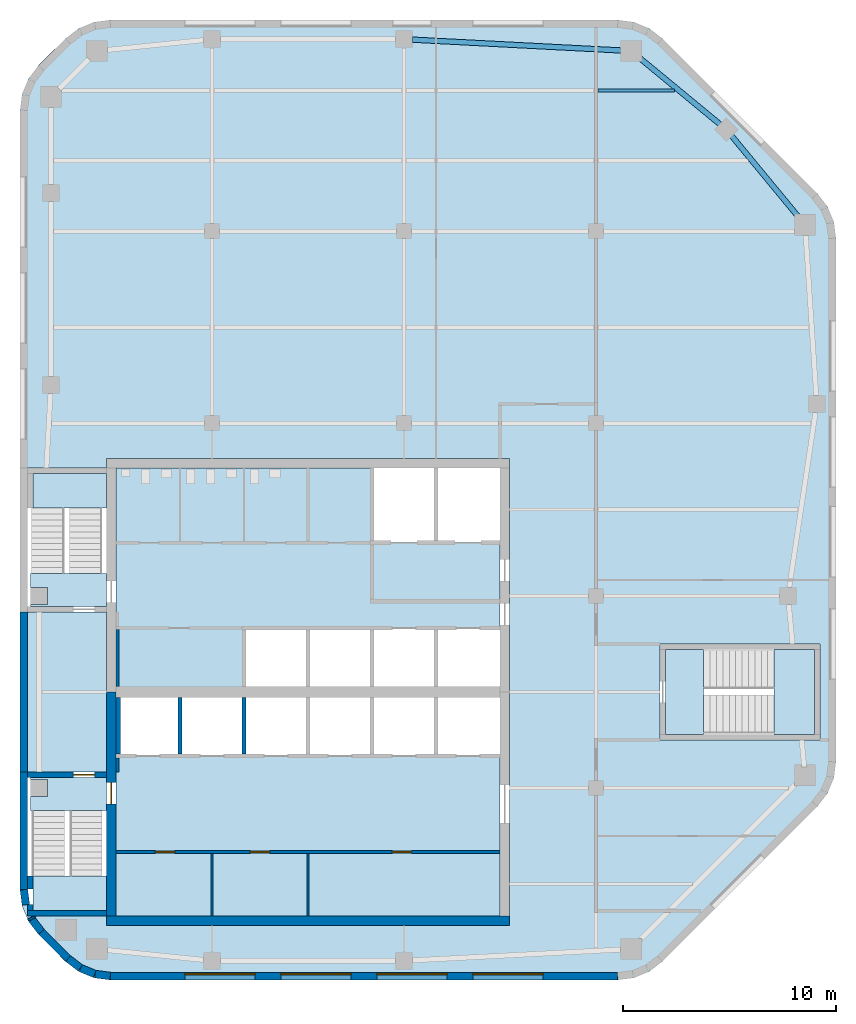
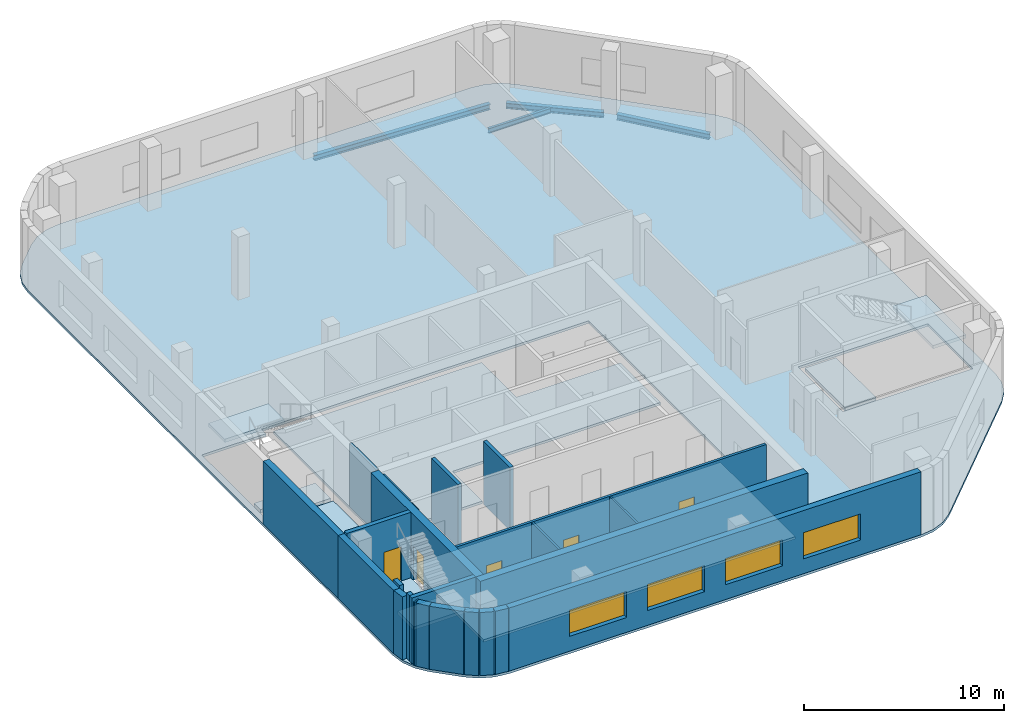
# One storey, part 2 of 7: 24 walls, 9 slabs, 5 doors, 4 beams, 4 windows, 9 openings, 3 elements without a shape of their own.
"""IFC4 building model written with IfcOpenShell, lengths in metres."""

from ifc_helpers import new_model, si_unit, direction, frame, frame_2d, origin, origin_2d, place, context, subcontext, project, spatial, polyline, rectangle, i_section, outline, extrude, material, layer, layer_set, material_profile, profile_set, type_object, element, fill, aggregate, save


model = new_model("IFC4")

# Units and contexts
model_context = context("Model", 3, precision=1e-05, world=origin(), true_north=direction((0.0, 1.0)))
body_context = subcontext(model_context, "Body", "Model", "MODEL_VIEW")
ifc_project = project(units=[si_unit("LENGTHUNIT", "METRE"), si_unit("AREAUNIT", "SQUARE_METRE"), si_unit("VOLUMEUNIT", "CUBIC_METRE"), si_unit("PLANEANGLEUNIT", "RADIAN"), si_unit("MASSUNIT", "GRAM", prefix="KILO")], contexts=[model_context])

# Site, building, storey
site_placement = place(None, origin())
site = spatial("IfcSite", under=ifc_project, at=site_placement, CompositionType="ELEMENT")
building_placement = place(site_placement, origin())
building = spatial("IfcBuilding", under=site, at=building_placement, Name="Cinnabar Reach Civic Tower", CompositionType="ELEMENT")
storey_placement = place(building_placement, frame((0.0, 0.0, 255.0)))
storey = spatial("IfcBuildingStorey", under=building, at=storey_placement, Name="L61", CompositionType="ELEMENT", Elevation=255.0)

# Beams
ifc_material_1 = material(Name="Steel Q355B", Category="steel")
ifc_material_profile_1 = material_profile(ifc_material_1, i_section(OverallWidth=0.25, OverallDepth=0.34, WebThickness=0.009, FlangeThickness=0.014, FilletRadius=0.013, at=origin_2d()), Name="HM340x250x9x14")
ifc_profile_set_1 = profile_set([ifc_material_profile_1], Name="Steel Q355B")
beam_type_1 = type_object("IfcBeamType", Name="HM340x250x9x14 beam R 180", PredefinedType="BEAM", material=ifc_profile_set_1)
for number, where, z_axis, x_axis, name in (
    (1, (36.4818, 53.7801, -0.32), (-0.636303312762, 0.771438976309, 0.0), (-0.771438976309, -0.636303312762, 0.0), "Edge beam T1 L61 9"),
    (2, (32.8486, 58.0822, -0.32), (-0.771438976309, 0.636303312762, 0.0), (-0.636303312762, -0.771438976309, 0.0), "Edge beam T1 L61 10"),
):
    element("IfcBeam", number, at=place(storey_placement, frame(where, z_axis=z_axis, x_axis=x_axis)), inside=storey, type_object=beam_type_1, Name=name, PredefinedType="BEAM", context=body_context, shape_type="SweptSolid", body=[
        extrude(i_section(OverallWidth=0.25, OverallDepth=0.34, WebThickness=0.009, FlangeThickness=0.014, FilletRadius=0.013, at=origin_2d()), origin(), (0.0, 0.0, 1.0), 4.9498),
    ])
beam_1_placement = place(storey_placement, frame((28.2661, 61.5667, -0.32), z_axis=(-0.998653533726, 0.051876001934, 0.0), x_axis=(-0.051876001934, -0.998653533726, 0.0)))
element("IfcBeam", 3, at=beam_1_placement, inside=storey, type_object=beam_type_1, Name="Edge beam T1 L61 11", PredefinedType="BEAM", context=body_context, shape_type="SweptSolid", body=[
    extrude(i_section(OverallWidth=0.25, OverallDepth=0.34, WebThickness=0.009, FlangeThickness=0.014, FilletRadius=0.013, at=origin_2d()), origin(), (0.0, 0.0, 1.0), 9.8774),
])
ifc_material_profile_2 = material_profile(ifc_material_1, i_section(OverallWidth=0.15, OverallDepth=0.3, WebThickness=0.0065, FlangeThickness=0.009, FilletRadius=0.013, at=origin_2d()), Name="HN300x150x6.5x9")
ifc_profile_set_2 = profile_set([ifc_material_profile_2], Name="Steel Q355B")
beam_type_2 = type_object("IfcBeamType", Name="HN300x150x6.5x9 beam R 180", PredefinedType="BEAM", material=ifc_profile_set_2)
beam_2_placement = place(storey_placement, frame((27.102, 59.7, -0.3), z_axis=(1.0, 0.0, 0.0), x_axis=(0.0, 1.0, 0.0)))
element("IfcBeam", 4, at=beam_2_placement, inside=storey, type_object=beam_type_2, Name="Secondary beam T1 L61 19", PredefinedType="BEAM", context=body_context, shape_type="SweptSolid", body=[
    extrude(i_section(OverallWidth=0.15, OverallDepth=0.3, WebThickness=0.0065, FlangeThickness=0.009, FilletRadius=0.013, at=origin_2d()), origin(), (0.0, 0.0, 1.0), 3.5856),
])

# Slab
ifc_material_2 = material(Name="Concrete C40", Category="concrete")
ifc_layer_1 = layer(ifc_material_2, 0.15)
ifc_layer_set_1 = layer_set([ifc_layer_1], Name="Composite floor slab 150 REI 150")
slab_type_1 = type_object("IfcSlabType", Name="Composite floor slab 150 REI 150", PredefinedType="FLOOR", material=ifc_layer_set_1)
slab_1_placement = place(storey_placement, frame((0.0, 0.0, -0.15)))
element("IfcSlab", 5, at=slab_1_placement, inside=storey, type_object=slab_type_1, Name="Composite floor slab 150 T1 L61", PredefinedType="FLOOR", context=body_context, shape_type="SweptSolid", body=[
    extrude(outline(polyline([(0.8787, 20.1213), (0.4019, 20.7426), (0.1022, 21.4662), (0.0, 22.2426), (0.0, 58.7574), (0.1022, 59.5338), (0.4019, 60.2574), (0.8787, 60.8787), (2.1213, 62.1213), (2.7426, 62.5981), (3.4662, 62.8978), (4.2426, 63.0), (28.0074, 63.0), (28.7838, 62.8978), (29.5074, 62.5981), (30.1287, 62.1213), (37.3713, 54.8787), (37.8481, 54.2574), (38.1478, 53.5338), (38.25, 52.7574), (38.25, 28.2426), (38.1478, 27.4662), (37.8481, 26.7426), (37.3713, 26.1213), (30.1287, 18.8787), (29.5074, 18.4019), (28.7838, 18.1022), (28.0074, 18.0), (4.2426, 18.0), (3.4662, 18.1022), (2.7426, 18.4019), (2.1213, 18.8787), (0.8787, 20.1213)]), holes=[polyline([(0.685, 21.0), (4.05, 21.0), (4.05, 20.55), (22.95, 20.55), (22.95, 42.45), (4.05, 42.45), (4.05, 42.0), (0.36, 42.0), (0.36, 35.25), (4.05, 35.25), (4.05, 27.75), (0.36, 27.75), (0.36, 22.2662), (0.453, 21.5602), (0.685, 21.0)]), polyline([(30.0, 33.75), (30.0, 29.25), (37.5, 29.25), (37.5, 33.75), (30.0, 33.75)])]), origin(), (0.0, 0.0, 1.0), 0.15),
])

# Stair, slabs
ifc_material_3 = material(Name="Concrete C40/50", Category="concrete")
stair_type = type_object("IfcStairType", Name="T1 Exit stair, half-turn", PredefinedType="HALF_TURN_STAIR", material=ifc_material_3)
stair_1_placement = place(storey_placement, origin())
stair_1 = element("IfcStair", 6, at=stair_1_placement, inside=storey, type_object=stair_type, Name="Stair T1-S1", PredefinedType="HALF_TURN_STAIR")
ifc_layer_2 = layer(ifc_material_3, 0.2)
ifc_layer_set_2 = layer_set([ifc_layer_2], Name="T1 Stair landing 200, Concrete C40/50")
slab_type_2 = type_object("IfcSlabType", Name="T1 Stair landing 200, Concrete C40/50", PredefinedType="LANDING", material=ifc_layer_set_2)
slab_2_placement = place(storey_placement, frame((0.0, 0.0, -0.2)))
slab_2 = element("IfcSlab", 7, at=slab_2_placement, type_object=slab_type_2, Name="T1-S1 landing 1", PredefinedType="LANDING", context=body_context, shape_type="SweptSolid", body=[
    extrude(outline(polyline([(0.5, 27.5), (4.05, 27.5), (4.05, 25.95), (0.5, 25.95), (0.5, 26.6), (1.3, 26.6), (1.3, 27.4), (0.5, 27.4), (0.5, 27.5)])), origin(), (0.0, 0.0, 1.0), 0.2),
])
slab_3_placement = place(storey_placement, frame((0.0, 0.0, 1.8)))
slab_3 = element("IfcSlab", 8, at=slab_3_placement, type_object=slab_type_2, Name="T1-S1 landing 2", PredefinedType="LANDING", context=body_context, shape_type="SweptSolid", body=[
    extrude(outline(polyline([(0.6, 21.25), (0.6, 22.87), (4.05, 22.87), (4.05, 21.25), (0.6, 21.25)])), origin(), (0.0, 0.0, 1.0), 0.2),
])
aggregate(stair_1, [slab_2, slab_3])

stair_2_placement = place(storey_placement, origin())
stair_2 = element("IfcStair", 9, at=stair_2_placement, inside=storey, type_object=stair_type, Name="Stair T1-S2", PredefinedType="HALF_TURN_STAIR")
slab_4_placement = place(storey_placement, frame((0.0, 0.0, -0.2)))
slab_4 = element("IfcSlab", 10, at=slab_4_placement, type_object=slab_type_2, Name="T1-S2 landing 1", PredefinedType="LANDING", context=body_context, shape_type="SweptSolid", body=[
    extrude(outline(polyline([(0.5, 37.05), (4.05, 37.05), (4.05, 35.5), (0.5, 35.5), (0.5, 35.6), (1.3, 35.6), (1.3, 36.4), (0.5, 36.4), (0.5, 37.05)])), origin(), (0.0, 0.0, 1.0), 0.2),
])
slab_5_placement = place(storey_placement, frame((0.0, 0.0, 1.8)))
slab_5 = element("IfcSlab", 11, at=slab_5_placement, type_object=slab_type_2, Name="T1-S2 landing 2", PredefinedType="LANDING", context=body_context, shape_type="SweptSolid", body=[
    extrude(outline(polyline([(0.6, 40.13), (0.6, 41.75), (4.05, 41.75), (4.05, 40.13), (0.6, 40.13)])), origin(), (0.0, 0.0, 1.0), 0.2),
])
aggregate(stair_2, [slab_4, slab_5])

stair_3_placement = place(storey_placement, origin())
stair_3 = element("IfcStair", 12, at=stair_3_placement, inside=storey, type_object=stair_type, Name="Stair T1-S3", PredefinedType="HALF_TURN_STAIR")
slab_6_placement = place(storey_placement, frame((0.0, 0.0, -0.2)))
slab_6 = element("IfcSlab", 13, at=slab_6_placement, type_object=slab_type_2, Name="T1-S3 landing 1", PredefinedType="LANDING", context=body_context, shape_type="SweptSolid", body=[
    extrude(outline(polyline([(30.25, 29.5), (32.05, 29.5), (32.05, 33.5), (30.25, 33.5), (30.25, 29.5)])), origin(), (0.0, 0.0, 1.0), 0.2),
])
slab_7_placement = place(storey_placement, frame((0.0, 0.0, 1.8)))
slab_7 = element("IfcSlab", 14, at=slab_7_placement, type_object=slab_type_2, Name="T1-S3 landing 2", PredefinedType="LANDING", context=body_context, shape_type="SweptSolid", body=[
    extrude(outline(polyline([(35.35, 29.5), (37.25, 29.5), (37.25, 33.5), (35.35, 33.5), (35.35, 29.5)])), origin(), (0.0, 0.0, 1.0), 0.2),
])
aggregate(stair_3, [slab_6, slab_7])

# Slabs
ifc_layer_3 = layer(ifc_material_3, 0.15)
ifc_layer_set_3 = layer_set([ifc_layer_3], Name="T1 core floor slab 150")
slab_type_3 = type_object("IfcSlabType", Name="T1 core floor slab 150", PredefinedType="FLOOR", material=ifc_layer_set_3)
slab_8_placement = place(storey_placement, frame((0.0, 0.0, -0.15)))
element("IfcSlab", 15, at=slab_8_placement, inside=storey, type_object=slab_type_3, Name="Core floor slab L61", PredefinedType="FLOOR", context=body_context, shape_type="SweptSolid", body=[
    extrude(outline(polyline([(22.5, 21.0), (4.5, 21.0), (4.5, 28.5), (7.5, 28.5), (10.5, 28.5), (13.5, 28.5), (16.5, 28.5), (19.5, 28.5), (22.5, 28.5), (22.5, 21.0)])), origin(), (0.0, 0.0, 1.0), 0.15),
])
slab_9_placement = place(storey_placement, frame((0.0, 0.0, -0.15)))
element("IfcSlab", 16, at=slab_9_placement, inside=storey, type_object=slab_type_3, Name="Core floor slab L61", PredefinedType="FLOOR", context=body_context, shape_type="SweptSolid", body=[
    extrude(outline(polyline([(22.5, 34.5), (19.5, 34.5), (16.5, 34.5), (13.5, 34.5), (10.5, 34.5), (10.5, 31.5), (7.5, 31.5), (4.5, 31.5), (4.5, 42.0), (16.5, 42.0), (16.5, 38.5), (19.5, 38.5), (22.5, 38.5), (22.5, 34.5)])), origin(), (0.0, 0.0, 1.0), 0.15),
])

# Walls
ifc_material_4 = material(Name="Facing brick with insulated backing", Category="masonry")
ifc_layer_4 = layer(ifc_material_4, 0.36)
ifc_layer_set_4 = layer_set([ifc_layer_4], Name="Brick corner wall")
wall_type_1 = type_object("IfcWallType", Name="Brick corner wall", PredefinedType="STANDARD", material=ifc_layer_set_4)
wall_1_placement = place(storey_placement, frame((0.183, 22.2314, 0.0), z_axis=(0.0, 0.0, 1.0), x_axis=(0.13055608231, -0.99144092581, 0.0)))
element("IfcWall", 17, at=wall_1_placement, inside=storey, type_object=wall_type_1, Name="Brick corner wall", PredefinedType="STANDARD", context=body_context, shape_type="SweptSolid", body=[
    extrude(rectangle(XDim=0.7131, YDim=0.36, at=frame_2d((0.3565, 0.0))), origin(), (0.0, 0.0, 1.0), 3.85),
])
wall_2_placement = place(storey_placement, frame((0.5206, 20.9265, 0.0), z_axis=(0.0, 0.0, 1.0), x_axis=(0.382549378284, -0.923935048136, 0.0)))
element("IfcWall", 18, at=wall_2_placement, inside=storey, type_object=wall_type_1, Name="Brick corner wall", PredefinedType="STANDARD", context=body_context, shape_type="SweptSolid", body=[
    extrude(rectangle(XDim=0.0894, YDim=0.36, at=frame_2d((0.0447, 0.0))), origin(), (0.0, 0.0, 1.0), 3.85),
])
for number, where, z_axis, x_axis, name in (
    (19, (0.566, 20.8245, 0.0), (0.0, 0.0, 1.0), (0.608802368033, -0.793321924995, 0.0), "Brick corner wall"),
    (20, (2.2587, 19.0002, 0.0), (0.0, 0.0, 1.0), (0.793321924995, -0.608802368033, 0.0), "Brick corner wall"),
):
    element("IfcWall", number, at=place(storey_placement, frame(where, z_axis=z_axis, x_axis=x_axis)), inside=storey, type_object=wall_type_1, Name=name, PredefinedType="STANDARD", context=body_context, shape_type="SweptSolid", body=[
        extrude(rectangle(XDim=0.7132, YDim=0.36, at=frame_2d((0.3566, 0.0))), origin(), (0.0, 0.0, 1.0), 3.85),
    ])
for number, where, z_axis, x_axis, name in (
    (21, (2.8439, 18.5548, 0.0), (0.0, 0.0, 1.0), (0.923871547278, -0.382702709855, 0.0), "Brick corner wall"),
    (22, (3.5244, 18.2761, 0.0), (0.0, 0.0, 1.0), (0.99144092581, -0.13055608231, 0.0), "Brick corner wall"),
):
    element("IfcWall", number, at=place(storey_placement, frame(where, z_axis=z_axis, x_axis=x_axis)), inside=storey, type_object=wall_type_1, Name=name, PredefinedType="STANDARD", context=body_context, shape_type="SweptSolid", body=[
        extrude(rectangle(XDim=0.7131, YDim=0.36, at=frame_2d((0.3565, 0.0))), origin(), (0.0, 0.0, 1.0), 3.85),
    ])

# Wall, openings, windows
ifc_layer_5 = layer(ifc_material_4, 0.36)
ifc_layer_set_5 = layer_set([ifc_layer_5], Name="Brick pier and spandrel wall")
wall_type_2 = type_object("IfcWallType", Name="Brick pier and spandrel wall", PredefinedType="STANDARD", material=ifc_layer_set_5)
wall_3_placement = place(storey_placement, frame((4.2426, 18.18, 0.0), z_axis=(0.0, 0.0, 1.0), x_axis=(1.0, 0.0, 0.0)))
wall_3 = element("IfcWall", 23, at=wall_3_placement, inside=storey, type_object=wall_type_2, Name="Brick facade wall", PredefinedType="STANDARD", context=body_context, shape_type="SweptSolid", body=[
    extrude(rectangle(XDim=23.7648, YDim=0.36, at=frame_2d((11.8824, 0.0))), origin(), (0.0, 0.0, 1.0), 3.85),
])
opening_1_placement = place(wall_3_placement, frame((3.4824, 0.0, 0.9)))
opening_1 = element("IfcOpeningElement", 24, at=opening_1_placement, cuts=wall_3, Name="Opening W2211", PredefinedType="OPENING", context=body_context, shape_type="SweptSolid", body=[
    extrude(rectangle(XDim=3.3, YDim=1.6, at=frame_2d((1.65, 0.8))), frame((0.0, 0.19, 0.0), z_axis=(0.0, -1.0, 0.0), x_axis=(1.0, 0.0, 0.0)), (0.0, 0.0, 1.0), 0.38),
])
opening_2_placement = place(wall_3_placement, frame((7.9824, 0.0, 0.9)))
opening_2 = element("IfcOpeningElement", 25, at=opening_2_placement, cuts=wall_3, Name="Opening W2212", PredefinedType="OPENING", context=body_context, shape_type="SweptSolid", body=[
    extrude(rectangle(XDim=3.3, YDim=1.6, at=frame_2d((1.65, 0.8))), frame((0.0, 0.19, 0.0), z_axis=(0.0, -1.0, 0.0), x_axis=(1.0, 0.0, 0.0)), (0.0, 0.0, 1.0), 0.38),
])
opening_3_placement = place(wall_3_placement, frame((12.4824, 0.0, 0.9)))
opening_3 = element("IfcOpeningElement", 26, at=opening_3_placement, cuts=wall_3, Name="Opening W2213", PredefinedType="OPENING", context=body_context, shape_type="SweptSolid", body=[
    extrude(rectangle(XDim=3.3, YDim=1.6, at=frame_2d((1.65, 0.8))), frame((0.0, 0.19, 0.0), z_axis=(0.0, -1.0, 0.0), x_axis=(1.0, 0.0, 0.0)), (0.0, 0.0, 1.0), 0.38),
])
opening_4_placement = place(wall_3_placement, frame((16.9824, 0.0, 0.9)))
opening_4 = element("IfcOpeningElement", 27, at=opening_4_placement, cuts=wall_3, Name="Opening W2214", PredefinedType="OPENING", context=body_context, shape_type="SweptSolid", body=[
    extrude(rectangle(XDim=3.3, YDim=1.6, at=frame_2d((1.65, 0.8))), frame((0.0, 0.19, 0.0), z_axis=(0.0, -1.0, 0.0), x_axis=(1.0, 0.0, 0.0)), (0.0, 0.0, 1.0), 0.38),
])
ifc_material_5 = material(Name="Clear double glazing in aluminium frame", Category="aluminium")
window_type = type_object("IfcWindowType", Name="Deep-set window A", PartitioningType="SINGLE_PANEL", PredefinedType="WINDOW", material=ifc_material_5)
window_1_placement = place(opening_1_placement, origin())
window_1 = element("IfcWindow", 28, at=window_1_placement, inside=storey, type_object=window_type, Name="Window south face", OverallHeight=1.6, OverallWidth=3.3, PartitioningType="SINGLE_PANEL", PredefinedType="WINDOW", context=body_context, shape_type="SweptSolid", body=[
    extrude(rectangle(XDim=3.3, YDim=1.6, at=frame_2d((1.65, 0.8))), frame((0.0, 0.13, 0.0), z_axis=(0.0, -1.0, 0.0), x_axis=(1.0, 0.0, 0.0)), (0.0, 0.0, 1.0), 0.06),
])
fill(opening_1, window_1)
window_2_placement = place(opening_2_placement, origin())
window_2 = element("IfcWindow", 29, at=window_2_placement, inside=storey, type_object=window_type, Name="Window south face", OverallHeight=1.6, OverallWidth=3.3, PartitioningType="SINGLE_PANEL", PredefinedType="WINDOW", context=body_context, shape_type="SweptSolid", body=[
    extrude(rectangle(XDim=3.3, YDim=1.6, at=frame_2d((1.65, 0.8))), frame((0.0, 0.13, 0.0), z_axis=(0.0, -1.0, 0.0), x_axis=(1.0, 0.0, 0.0)), (0.0, 0.0, 1.0), 0.06),
])
fill(opening_2, window_2)
window_3_placement = place(opening_3_placement, origin())
window_3 = element("IfcWindow", 30, at=window_3_placement, inside=storey, type_object=window_type, Name="Window south face", OverallHeight=1.6, OverallWidth=3.3, PartitioningType="SINGLE_PANEL", PredefinedType="WINDOW", context=body_context, shape_type="SweptSolid", body=[
    extrude(rectangle(XDim=3.3, YDim=1.6, at=frame_2d((1.65, 0.8))), frame((0.0, 0.13, 0.0), z_axis=(0.0, -1.0, 0.0), x_axis=(1.0, 0.0, 0.0)), (0.0, 0.0, 1.0), 0.06),
])
fill(opening_3, window_3)
window_4_placement = place(opening_4_placement, origin())
window_4 = element("IfcWindow", 31, at=window_4_placement, inside=storey, type_object=window_type, Name="Window south face", OverallHeight=1.6, OverallWidth=3.3, PartitioningType="SINGLE_PANEL", PredefinedType="WINDOW", context=body_context, shape_type="SweptSolid", body=[
    extrude(rectangle(XDim=3.3, YDim=1.6, at=frame_2d((1.65, 0.8))), frame((0.0, 0.13, 0.0), z_axis=(0.0, -1.0, 0.0), x_axis=(1.0, 0.0, 0.0)), (0.0, 0.0, 1.0), 0.06),
])
fill(opening_4, window_4)

# Walls
wall_4_placement = place(storey_placement, frame((0.18, 35.25, 0.0), z_axis=(0.0, 0.0, 1.0), x_axis=(0.0, -1.0, 0.0)))
element("IfcWall", 32, at=wall_4_placement, inside=storey, type_object=wall_type_2, Name="Brick facade wall", PredefinedType="STANDARD", context=body_context, shape_type="SweptSolid", body=[
    extrude(rectangle(XDim=7.5, YDim=0.36, at=frame_2d((3.75, 0.0))), origin(), (0.0, 0.0, 1.0), 3.85),
])
wall_5_placement = place(storey_placement, frame((0.18, 27.75, 0.0), z_axis=(0.0, 0.0, 1.0), x_axis=(0.0, -1.0, 0.0)))
element("IfcWall", 33, at=wall_5_placement, inside=storey, type_object=wall_type_2, Name="Brick facade wall", PredefinedType="STANDARD", context=body_context, shape_type="SweptSolid", body=[
    extrude(rectangle(XDim=5.5074, YDim=0.36, at=frame_2d((2.7537, 0.0))), origin(), (0.0, 0.0, 1.0), 3.85),
])
wall_6_placement = place(storey_placement, frame((1.006, 20.2486, 0.0), z_axis=(0.0, 0.0, 1.0), x_axis=(0.707106781187, -0.707106781187, 0.0)))
element("IfcWall", 34, at=wall_6_placement, inside=storey, type_object=wall_type_2, Name="Brick facade wall", PredefinedType="STANDARD", context=body_context, shape_type="SweptSolid", body=[
    extrude(rectangle(XDim=1.7573, YDim=0.36, at=frame_2d((0.8787, 0.0))), origin(), (0.0, 0.0, 1.0), 3.85),
])
ifc_material_6 = material(Name="Concrete C60", Category="concrete")
ifc_layer_6 = layer(ifc_material_6, 0.45)
ifc_layer_set_6 = layer_set([ifc_layer_6], Name="Core wall 450 EI 180")
wall_type_3 = type_object("IfcWallType", Name="Core wall 450 EI 180", PredefinedType="SOLIDWALL", material=ifc_layer_set_6)
wall_7_placement = place(storey_placement, frame((4.05, 20.775, 0.0), z_axis=(0.0, 0.0, 1.0), x_axis=(1.0, 0.0, 0.0)))
element("IfcWall", 35, at=wall_7_placement, inside=storey, type_object=wall_type_3, Name="Core wall T1 L61 S", PredefinedType="SOLIDWALL", context=body_context, shape_type="SweptSolid", body=[
    extrude(rectangle(XDim=18.9, YDim=0.45, at=frame_2d((9.45, 0.0))), origin(), (0.0, 0.0, 1.0), 4.0),
])

# Wall, opening, door
wall_8_placement = place(storey_placement, frame((4.275, 31.5, 0.0), z_axis=(0.0, 0.0, 1.0), x_axis=(0.0, -1.0, 0.0)))
wall_8 = element("IfcWall", 36, at=wall_8_placement, inside=storey, type_object=wall_type_3, Name="Core wall T1 L61 W2", PredefinedType="SOLIDWALL", context=body_context, shape_type="SweptSolid", body=[
    extrude(rectangle(XDim=10.5, YDim=0.45, at=frame_2d((5.25, 0.0))), origin(), (0.0, 0.0, 1.0), 4.0),
])
opening_5_placement = place(wall_8_placement, frame((4.25, 0.0, 0.0)))
opening_5 = element("IfcOpeningElement", 37, at=opening_5_placement, cuts=wall_8, Name="Opening D5442", PredefinedType="OPENING", context=body_context, shape_type="SweptSolid", body=[
    extrude(rectangle(XDim=1.0, YDim=2.1, at=frame_2d((0.5, 1.05))), frame((0.0, 0.235, 0.0), z_axis=(0.0, -1.0, 0.0), x_axis=(1.0, 0.0, 0.0)), (0.0, 0.0, 1.0), 0.47),
])
ifc_material_7 = material(Name="Timber door leaf in steel frame", Category="steel")
door_type_1 = type_object("IfcDoorType", Name="Stair door 1000 x 2100 T1", OperationType="SINGLE_SWING_LEFT", PredefinedType="DOOR", material=ifc_material_7)
door_1_placement = place(opening_5_placement, frame((1.0, 0.0, 0.0), z_axis=(0.0, 0.0, 1.0), x_axis=(-1.0, 0.0, 0.0)))
door_1 = element("IfcDoor", 38, at=door_1_placement, inside=storey, type_object=door_type_1, Name="Door D5442", OperationType="SINGLE_SWING_RIGHT", OverallHeight=2.1, OverallWidth=1.0, PredefinedType="DOOR", context=body_context, shape_type="SweptSolid", body=[
    extrude(rectangle(XDim=1.0, YDim=2.1, at=frame_2d((0.5, 1.05))), frame((0.0, 0.025, 0.0), z_axis=(0.0, -1.0, 0.0), x_axis=(1.0, 0.0, 0.0)), (0.0, 0.0, 1.0), 0.05),
])
fill(opening_5, door_1)

# Wall, openings, doors
ifc_material_8 = material(Name="Gypsum board on steel studs, double layer", Category="steel")
ifc_layer_7 = layer(ifc_material_8, 0.15)
ifc_layer_set_7 = layer_set([ifc_layer_7], Name="Corridor wall 150 T1")
wall_type_4 = type_object("IfcWallType", Name="Corridor wall 150 T1", PredefinedType="PARTITIONING", material=ifc_layer_set_7)
wall_9_placement = place(storey_placement, frame((4.5, 24.0, 0.0), z_axis=(0.0, 0.0, 1.0), x_axis=(1.0, 0.0, 0.0)))
wall_9 = element("IfcWall", 39, at=wall_9_placement, inside=storey, type_object=wall_type_4, Name="Corridor wall 18", PredefinedType="PARTITIONING", context=body_context, shape_type="SweptSolid", body=[
    extrude(rectangle(XDim=18.0, YDim=0.15, at=frame_2d((9.0, 0.0))), origin(), (0.0, 0.0, 1.0), 3.85),
])
opening_6_placement = place(wall_9_placement, frame((1.85, 0.0, 0.0)))
opening_6 = element("IfcOpeningElement", 40, at=opening_6_placement, cuts=wall_9, Name="Opening D5460", PredefinedType="OPENING", context=body_context, shape_type="SweptSolid", body=[
    extrude(rectangle(XDim=0.9, YDim=2.1, at=frame_2d((0.45, 1.05))), frame((0.0, 0.085, 0.0), z_axis=(0.0, -1.0, 0.0), x_axis=(1.0, 0.0, 0.0)), (0.0, 0.0, 1.0), 0.17),
])
opening_7_placement = place(wall_9_placement, frame((6.3, 0.0, 0.0)))
opening_7 = element("IfcOpeningElement", 41, at=opening_7_placement, cuts=wall_9, Name="Opening D5461", PredefinedType="OPENING", context=body_context, shape_type="SweptSolid", body=[
    extrude(rectangle(XDim=0.9, YDim=2.1, at=frame_2d((0.45, 1.05))), frame((0.0, 0.085, 0.0), z_axis=(0.0, -1.0, 0.0), x_axis=(1.0, 0.0, 0.0)), (0.0, 0.0, 1.0), 0.17),
])
opening_8_placement = place(wall_9_placement, frame((12.95, 0.0, 0.0)))
opening_8 = element("IfcOpeningElement", 42, at=opening_8_placement, cuts=wall_9, Name="Opening D5462", PredefinedType="OPENING", context=body_context, shape_type="SweptSolid", body=[
    extrude(rectangle(XDim=0.9, YDim=2.1, at=frame_2d((0.45, 1.05))), frame((0.0, 0.085, 0.0), z_axis=(0.0, -1.0, 0.0), x_axis=(1.0, 0.0, 0.0)), (0.0, 0.0, 1.0), 0.17),
])
door_type_2 = type_object("IfcDoorType", Name="Single swing door 900 x 2100 corridor T1", OperationType="SINGLE_SWING_LEFT", PredefinedType="DOOR", material=ifc_material_7)
door_2_placement = place(opening_6_placement, frame((0.9, 0.0, 0.0), z_axis=(0.0, 0.0, 1.0), x_axis=(-1.0, 0.0, 0.0)))
door_2 = element("IfcDoor", 43, at=door_2_placement, inside=storey, type_object=door_type_2, Name="Door D5460", OperationType="SINGLE_SWING_RIGHT", OverallHeight=2.1, OverallWidth=0.9, PredefinedType="DOOR", context=body_context, shape_type="SweptSolid", body=[
    extrude(rectangle(XDim=0.9, YDim=2.1, at=frame_2d((0.45, 1.05))), frame((0.0, 0.025, 0.0), z_axis=(0.0, -1.0, 0.0), x_axis=(1.0, 0.0, 0.0)), (0.0, 0.0, 1.0), 0.05),
])
fill(opening_6, door_2)
door_3_placement = place(opening_7_placement, frame((0.9, 0.0, 0.0), z_axis=(0.0, 0.0, 1.0), x_axis=(-1.0, 0.0, 0.0)))
door_3 = element("IfcDoor", 44, at=door_3_placement, inside=storey, type_object=door_type_2, Name="Door D5461", OperationType="SINGLE_SWING_LEFT", OverallHeight=2.1, OverallWidth=0.9, PredefinedType="DOOR", context=body_context, shape_type="SweptSolid", body=[
    extrude(rectangle(XDim=0.9, YDim=2.1, at=frame_2d((0.45, 1.05))), frame((0.0, 0.025, 0.0), z_axis=(0.0, -1.0, 0.0), x_axis=(1.0, 0.0, 0.0)), (0.0, 0.0, 1.0), 0.05),
])
fill(opening_7, door_3)
door_4_placement = place(opening_8_placement, frame((0.9, 0.0, 0.0), z_axis=(0.0, 0.0, 1.0), x_axis=(-1.0, 0.0, 0.0)))
door_4 = element("IfcDoor", 45, at=door_4_placement, inside=storey, type_object=door_type_2, Name="Door D5462", OperationType="SINGLE_SWING_LEFT", OverallHeight=2.1, OverallWidth=0.9, PredefinedType="DOOR", context=body_context, shape_type="SweptSolid", body=[
    extrude(rectangle(XDim=0.9, YDim=2.1, at=frame_2d((0.45, 1.05))), frame((0.0, 0.025, 0.0), z_axis=(0.0, -1.0, 0.0), x_axis=(1.0, 0.0, 0.0)), (0.0, 0.0, 1.0), 0.05),
])
fill(opening_8, door_4)

# Walls
wall_10_placement = place(storey_placement, frame((4.575, 31.75, 0.0), z_axis=(0.0, 0.0, 1.0), x_axis=(0.0, 1.0, 0.0)))
element("IfcWall", 46, at=wall_10_placement, inside=storey, type_object=wall_type_4, Name="Corridor wall 29", PredefinedType="PARTITIONING", context=body_context, shape_type="SweptSolid", body=[
    extrude(rectangle(XDim=2.675, YDim=0.15, at=frame_2d((1.3375, 0.0))), origin(), (0.0, 0.0, 1.0), 3.85),
])
wall_11_placement = place(storey_placement, frame((4.575, 27.75, 0.0), z_axis=(0.0, 0.0, 1.0), x_axis=(0.0, 1.0, 0.0)))
element("IfcWall", 47, at=wall_11_placement, inside=storey, type_object=wall_type_4, Name="Corridor wall 33", PredefinedType="PARTITIONING", context=body_context, shape_type="SweptSolid", body=[
    extrude(rectangle(XDim=0.65, YDim=0.15, at=frame_2d((0.325, 0.0))), origin(), (0.0, 0.0, 1.0), 3.85),
])
ifc_material_9 = material(Name="Blockwork", Category="masonry")
ifc_layer_8 = layer(ifc_material_9, 0.2)
ifc_layer_set_8 = layer_set([ifc_layer_8], Name="Lift shaft wall 200 T1")
wall_type_5 = type_object("IfcWallType", Name="Lift shaft wall 200 T1", PredefinedType="PARTITIONING", material=ifc_layer_set_8)
for number, where, z_axis, x_axis, name in (
    (48, (10.5, 28.6, 0.0), (0.0, 0.0, 1.0), (0.0, 1.0, 0.0), "Lift shaft wall 6"),
    (49, (4.6, 28.6, 0.0), (0.0, 0.0, 1.0), (0.0, 1.0, 0.0), "Lift shaft wall 16"),
    (50, (7.5, 28.6, 0.0), (0.0, 0.0, 1.0), (0.0, 1.0, 0.0), "Lift shaft wall 17"),
):
    element("IfcWall", number, at=place(storey_placement, frame(where, z_axis=z_axis, x_axis=x_axis)), inside=storey, type_object=wall_type_5, Name=name, PredefinedType="PARTITIONING", context=body_context, shape_type="SweptSolid", body=[
        extrude(rectangle(XDim=2.65, YDim=0.2, at=frame_2d((1.325, 0.0))), origin(), (0.0, 0.0, 1.0), 3.85),
    ])
ifc_material_10 = material(Name="Gypsum board on steel studs", Category="steel")
ifc_layer_9 = layer(ifc_material_10, 0.1)
ifc_layer_set_9 = layer_set([ifc_layer_9], Name="Partition wall 100 T1")
wall_type_6 = type_object("IfcWallType", Name="Partition wall 100 T1", PredefinedType="PARTITIONING", material=ifc_layer_set_9)
for number, where, z_axis, x_axis, name in (
    (51, (9.0, 21.0, 0.0), (0.0, 0.0, 1.0), (0.0, 1.0, 0.0), "Partition wall 43"),
    (52, (13.5, 21.0, 0.0), (0.0, 0.0, 1.0), (0.0, 1.0, 0.0), "Partition wall 44"),
):
    element("IfcWall", number, at=place(storey_placement, frame(where, z_axis=z_axis, x_axis=x_axis)), inside=storey, type_object=wall_type_6, Name=name, PredefinedType="PARTITIONING", context=body_context, shape_type="SweptSolid", body=[
        extrude(rectangle(XDim=2.925, YDim=0.1, at=frame_2d((1.4625, 0.0))), origin(), (0.0, 0.0, 1.0), 3.85),
    ])
ifc_layer_10 = layer(ifc_material_6, 0.25)
ifc_layer_set_10 = layer_set([ifc_layer_10], Name="Stair shaft wall 250 EI 120")
wall_type_7 = type_object("IfcWallType", Name="Stair shaft wall 250 EI 120", PredefinedType="SOLIDWALL", material=ifc_layer_set_10)
wall_12_placement = place(storey_placement, frame((0.36, 21.125, 0.0), z_axis=(0.0, 0.0, 1.0), x_axis=(1.0, 0.0, 0.0)))
element("IfcWall", 53, at=wall_12_placement, inside=storey, type_object=wall_type_7, Name="Stair shaft wall T1-S1 L61", PredefinedType="SOLIDWALL", context=body_context, shape_type="SweptSolid", body=[
    extrude(rectangle(XDim=3.69, YDim=0.25, at=frame_2d((1.845, 0.0))), origin(), (0.0, 0.0, 1.0), 4.0),
])

# Wall, opening, door
wall_13_placement = place(storey_placement, frame((4.05, 27.625, 0.0), z_axis=(0.0, 0.0, 1.0), x_axis=(-1.0, 0.0, 0.0)))
wall_13 = element("IfcWall", 54, at=wall_13_placement, inside=storey, type_object=wall_type_7, Name="Stair shaft wall T1-S1 L61", PredefinedType="SOLIDWALL", context=body_context, shape_type="SweptSolid", body=[
    extrude(rectangle(XDim=3.69, YDim=0.25, at=frame_2d((1.845, 0.0))), origin(), (0.0, 0.0, 1.0), 4.0),
])
opening_9_placement = place(wall_13_placement, frame((0.55, 0.0, 0.0)))
opening_9 = element("IfcOpeningElement", 55, at=opening_9_placement, cuts=wall_13, Name="Opening D5443", PredefinedType="OPENING", context=body_context, shape_type="SweptSolid", body=[
    extrude(rectangle(XDim=1.0, YDim=2.1, at=frame_2d((0.5, 1.05))), frame((0.0, 0.135, 0.0), z_axis=(0.0, -1.0, 0.0), x_axis=(1.0, 0.0, 0.0)), (0.0, 0.0, 1.0), 0.27),
])
door_5_placement = place(opening_9_placement, origin())
door_5 = element("IfcDoor", 56, at=door_5_placement, inside=storey, type_object=door_type_1, Name="Door D5443", OperationType="SINGLE_SWING_LEFT", OverallHeight=2.1, OverallWidth=1.0, PredefinedType="DOOR", context=body_context, shape_type="SweptSolid", body=[
    extrude(rectangle(XDim=1.0, YDim=2.1, at=frame_2d((0.5, 1.05))), frame((0.0, 0.025, 0.0), z_axis=(0.0, -1.0, 0.0), x_axis=(1.0, 0.0, 0.0)), (0.0, 0.0, 1.0), 0.05),
])
fill(opening_9, door_5)

# Walls
ifc_layer_11 = layer(ifc_material_3, 0.24)
ifc_layer_set_11 = layer_set([ifc_layer_11], Name="T1 landing bearer wall 240")
wall_type_8 = type_object("IfcWallType", Name="T1 landing bearer wall 240", PredefinedType="STANDARD", material=ifc_layer_set_11)
wall_14_placement = place(storey_placement, frame((0.48, 21.25, 0.0), z_axis=(0.0, 0.0, 1.0), x_axis=(0.0, 1.0, 0.0)))
element("IfcWall", 57, at=wall_14_placement, inside=storey, type_object=wall_type_8, Name="T1-S1 landing bearer wall", PredefinedType="STANDARD", context=body_context, shape_type="SweptSolid", body=[
    extrude(rectangle(XDim=0.2854, YDim=0.24, at=frame_2d((0.1427, 0.0))), origin(), (0.0, 0.0, 1.0), 4.0),
])
wall_15_placement = place(storey_placement, frame((0.48, 22.2549, 0.0), z_axis=(0.0, 0.0, 1.0), x_axis=(0.0, 1.0, 0.0)))
element("IfcWall", 58, at=wall_15_placement, inside=storey, type_object=wall_type_8, Name="T1-S1 landing bearer wall", PredefinedType="STANDARD", context=body_context, shape_type="SweptSolid", body=[
    extrude(rectangle(XDim=0.6151, YDim=0.24, at=frame_2d((0.3075, 0.0))), origin(), (0.0, 0.0, 1.0), 4.0),
])

save(model, "model.ifc")
